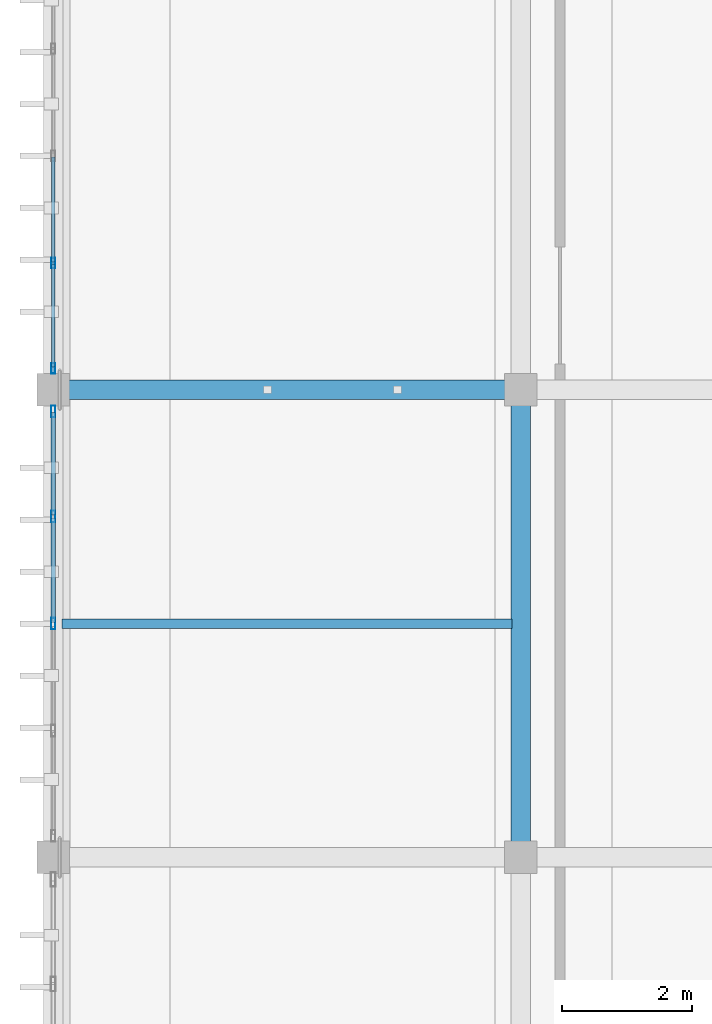
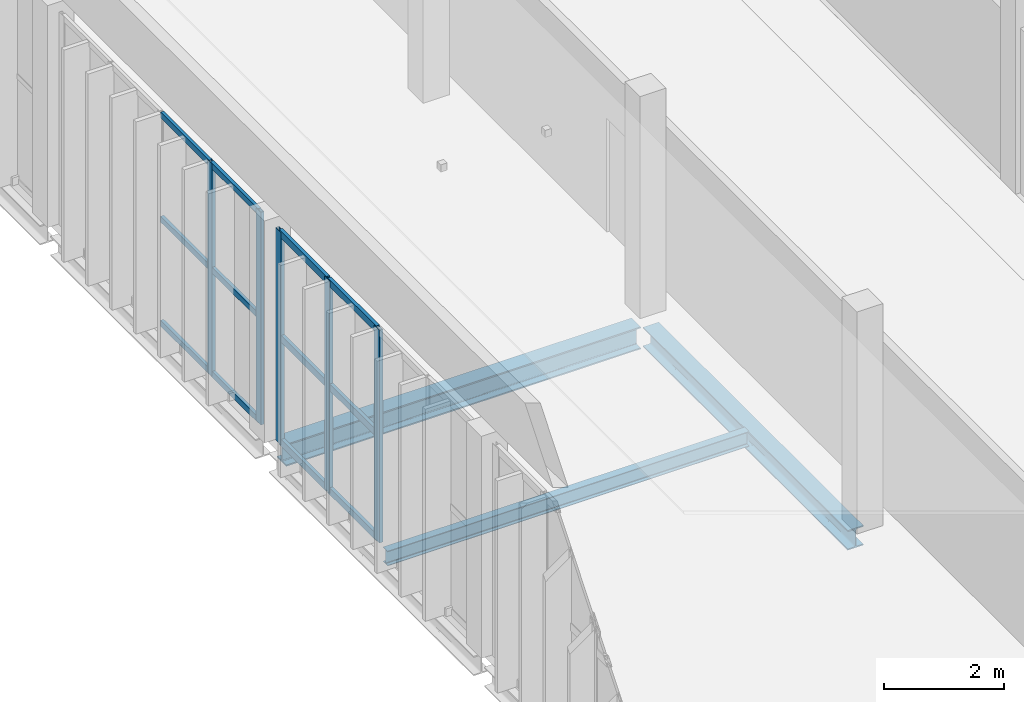
# One storey, part 8 of 64: 17 members, 3 beams, 2 elements without a shape of their own.
"""IFC4 building model written with IfcOpenShell, lengths in metres."""

from ifc_helpers import new_model, si_unit, direction, frame, origin, origin_2d, place, context, subcontext, project, spatial, hollow_rectangle, i_section, extrude, material, material_profile, profile_set, type_object, element, aggregate, save


model = new_model("IFC4")

# Units and contexts
model_context = context("Model", 3, precision=1e-05, world=origin(), true_north=direction((0.0, 1.0)))
body_context = subcontext(model_context, "Body", "Model", "MODEL_VIEW")
ifc_project = project(units=[si_unit("LENGTHUNIT", "METRE"), si_unit("AREAUNIT", "SQUARE_METRE"), si_unit("VOLUMEUNIT", "CUBIC_METRE"), si_unit("PLANEANGLEUNIT", "RADIAN"), si_unit("MASSUNIT", "GRAM", prefix="KILO")], contexts=[model_context])

# Site, building, storey
site_placement = place(None, origin())
site = spatial("IfcSite", under=ifc_project, at=site_placement, CompositionType="ELEMENT")
building_placement = place(site_placement, origin())
building = spatial("IfcBuilding", under=site, at=building_placement, Name="Qandorah Velis Arena", CompositionType="ELEMENT")
storey_placement = place(building_placement, frame((0.0, 0.0, 23.0)))
storey = spatial("IfcBuildingStorey", under=building, at=storey_placement, Name="L05", CompositionType="ELEMENT", Elevation=23.0)

# Curtain wall, members
ifc_material_1 = material(Name="Solar-control low-E double glazing", Category="glass")
curtain_wall_type_1 = type_object("IfcCurtainWallType", Name="ARC-CW-SYS19", PredefinedType="USERDEFINED", material=ifc_material_1)
curtain_wall_1_placement = place(storey_placement, origin())
curtain_wall_1 = element("IfcCurtainWall", 1, at=curtain_wall_1_placement, inside=storey, type_object=curtain_wall_type_1, Name="Unitised curtain wall L05-043", ObjectType="UNITISED CURTAIN WALL", PredefinedType="USERDEFINED")
ifc_material_2 = material(Name="Champagne-bronze anodized aluminium 6063-T6", Category="aluminium")
ifc_material_profile_1 = material_profile(ifc_material_2, hollow_rectangle(XDim=0.06005859375, YDim=0.159912109375, WallThickness=0.00341796875, at=origin_2d()), Name="ALU MULLION 60x160")
ifc_profile_set_1 = profile_set([ifc_material_profile_1], Name="Champagne-bronze anodized aluminium 6063-T6")
member_type_1 = type_object("IfcMemberType", Name="ARC-CWM-160", PredefinedType="MULLION", material=ifc_profile_set_1)
member_1_placement = place(storey_placement, frame((0.0, 36.330078125, -0.014892578125), z_axis=(0.0, 0.0, 1.0), x_axis=(-1.0, 0.0, 0.0)))
member_1 = element("IfcMember", 2, at=member_1_placement, type_object=member_type_1, Name="CW19 mullion 1", PredefinedType="MULLION", context=body_context, shape_type="SweptSolid", body=[
    extrude(hollow_rectangle(XDim=0.06005859375, YDim=0.159912109375, WallThickness=0.00341796875, at=origin_2d()), origin(), (0.0, 0.0, 1.0), 4.309814453125),
])
member_2_placement = place(storey_placement, frame((0.0, 37.949951171875, -0.014892578125), z_axis=(0.0, 0.0, 1.0), x_axis=(-1.0, 0.0, 0.0)))
member_2 = element("IfcMember", 3, at=member_2_placement, type_object=member_type_1, Name="CW19 mullion 2", PredefinedType="MULLION", context=body_context, shape_type="SweptSolid", body=[
    extrude(hollow_rectangle(XDim=0.06005859375, YDim=0.159912109375, WallThickness=0.00341796875, at=origin_2d()), origin(), (0.0, 0.0, 1.0), 4.309814453125),
])

curtain_wall_type_2 = type_object("IfcCurtainWallType", Name="ARC-CW-SYS18", PredefinedType="USERDEFINED", material=ifc_material_1)
curtain_wall_2_placement = place(storey_placement, origin())
curtain_wall_2 = element("IfcCurtainWall", 4, at=curtain_wall_2_placement, inside=storey, type_object=curtain_wall_type_2, Name="Unitised curtain wall L05-042", ObjectType="UNITISED CURTAIN WALL", PredefinedType="USERDEFINED")
ifc_material_profile_2 = material_profile(ifc_material_2, hollow_rectangle(XDim=0.06494140625, YDim=0.179931640625, WallThickness=0.00341796875, at=origin_2d()), Name="ALU MULLION 65x180")
ifc_profile_set_2 = profile_set([ifc_material_profile_2], Name="Champagne-bronze anodized aluminium 6063-T6")
member_type_2 = type_object("IfcMemberType", Name="ARC-CWM-180", PredefinedType="MULLION", material=ifc_profile_set_2)
member_3_placement = place(storey_placement, frame((0.0, 32.39990234375, -0.014892578125), z_axis=(0.0, 0.0, 1.0), x_axis=(-1.0, 0.0, 0.0)))
member_3 = element("IfcMember", 5, at=member_3_placement, type_object=member_type_2, Name="CW18 mullion 3", PredefinedType="MULLION", context=body_context, shape_type="SweptSolid", body=[
    extrude(hollow_rectangle(XDim=0.06494140625, YDim=0.179931640625, WallThickness=0.00341796875, at=origin_2d()), origin(), (0.0, 0.0, 1.0), 4.309814453125),
])
member_4_placement = place(storey_placement, frame((0.0, 34.050048828125, -0.014892578125), z_axis=(0.0, 0.0, 1.0), x_axis=(-1.0, 0.0, 0.0)))
member_4 = element("IfcMember", 6, at=member_4_placement, type_object=member_type_2, Name="CW18 mullion 4", PredefinedType="MULLION", context=body_context, shape_type="SweptSolid", body=[
    extrude(hollow_rectangle(XDim=0.06494140625, YDim=0.179931640625, WallThickness=0.00341796875, at=origin_2d()), origin(), (0.0, 0.0, 1.0), 4.309814453125),
])
member_5_placement = place(storey_placement, frame((0.0, 35.66748046875, -0.014892578125), z_axis=(0.0, 0.0, 1.0), x_axis=(-1.0, 0.0, 0.0)))
member_5 = element("IfcMember", 7, at=member_5_placement, type_object=member_type_2, Name="CW18 mullion 5", PredefinedType="MULLION", context=body_context, shape_type="SweptSolid", body=[
    extrude(hollow_rectangle(XDim=0.06494140625, YDim=0.179931640625, WallThickness=0.00341796875, at=origin_2d()), origin(), (0.0, 0.0, 1.0), 4.309814453125),
])

# Member
ifc_material_profile_3 = material_profile(ifc_material_2, hollow_rectangle(XDim=0.06005859375, YDim=0.1201171875, WallThickness=0.0029296875, at=origin_2d()), Name="ALU TRANSOM 60x120")
ifc_profile_set_3 = profile_set([ifc_material_profile_3], Name="Champagne-bronze anodized aluminium 6063-T6")
member_type_3 = type_object("IfcMemberType", Name="ARC-CWT-120", PredefinedType="USERDEFINED", material=ifc_profile_set_3)
member_6_placement = place(storey_placement, frame((0.0, 36.347900390625, 0.030029296875), z_axis=(0.0, 1.0, 0.0), x_axis=(-1.0, 0.0, 0.0)))
member_6 = element("IfcMember", 8, at=member_6_placement, type_object=member_type_3, Name="CW19 transom 1.1", ObjectType="TRANSOM", PredefinedType="USERDEFINED", context=body_context, shape_type="SweptSolid", body=[
    extrude(hollow_rectangle(XDim=0.06005859375, YDim=0.1201171875, WallThickness=0.0029296875, at=origin_2d()), origin(), (0.0, 0.0, 1.0), 1.583984375),
])

member_7_placement = place(storey_placement, frame((0.0, 36.347900390625, 2.139892578125), z_axis=(0.0, 1.0, 0.0), x_axis=(-1.0, 0.0, 0.0)))
member_7 = element("IfcMember", 9, at=member_7_placement, type_object=member_type_3, Name="CW19 transom 1.2", ObjectType="TRANSOM", PredefinedType="USERDEFINED", context=body_context, shape_type="SweptSolid", body=[
    extrude(hollow_rectangle(XDim=0.06005859375, YDim=0.1201171875, WallThickness=0.0029296875, at=origin_2d()), origin(), (0.0, 0.0, 1.0), 1.583984375),
])

member_8_placement = place(storey_placement, frame((0.0, 36.347900390625, 4.25), z_axis=(0.0, 1.0, 0.0), x_axis=(-1.0, 0.0, 0.0)))
member_8 = element("IfcMember", 10, at=member_8_placement, type_object=member_type_3, Name="CW19 transom 1.3", ObjectType="TRANSOM", PredefinedType="USERDEFINED", context=body_context, shape_type="SweptSolid", body=[
    extrude(hollow_rectangle(XDim=0.06005859375, YDim=0.1201171875, WallThickness=0.0029296875, at=origin_2d()), origin(), (0.0, 0.0, 1.0), 1.583984375),
])

member_9_placement = place(storey_placement, frame((0.0, 37.968017578125, 0.030029296875), z_axis=(0.0, 1.0, 0.0), x_axis=(-1.0, 0.0, 0.0)))
member_9 = element("IfcMember", 11, at=member_9_placement, type_object=member_type_3, Name="CW19 transom 2.1", ObjectType="TRANSOM", PredefinedType="USERDEFINED", context=body_context, shape_type="SweptSolid", body=[
    extrude(hollow_rectangle(XDim=0.06005859375, YDim=0.1201171875, WallThickness=0.0029296875, at=origin_2d()), origin(), (0.0, 0.0, 1.0), 1.614013671875),
])

member_10_placement = place(storey_placement, frame((0.0, 37.968017578125, 2.139892578125), z_axis=(0.0, 1.0, 0.0), x_axis=(-1.0, 0.0, 0.0)))
member_10 = element("IfcMember", 12, at=member_10_placement, type_object=member_type_3, Name="CW19 transom 2.2", ObjectType="TRANSOM", PredefinedType="USERDEFINED", context=body_context, shape_type="SweptSolid", body=[
    extrude(hollow_rectangle(XDim=0.06005859375, YDim=0.1201171875, WallThickness=0.0029296875, at=origin_2d()), origin(), (0.0, 0.0, 1.0), 1.614013671875),
])

member_11_placement = place(storey_placement, frame((0.0, 37.968017578125, 4.25), z_axis=(0.0, 1.0, 0.0), x_axis=(-1.0, 0.0, 0.0)))
member_11 = element("IfcMember", 13, at=member_11_placement, type_object=member_type_3, Name="CW19 transom 2.3", ObjectType="TRANSOM", PredefinedType="USERDEFINED", context=body_context, shape_type="SweptSolid", body=[
    extrude(hollow_rectangle(XDim=0.06005859375, YDim=0.1201171875, WallThickness=0.0029296875, at=origin_2d()), origin(), (0.0, 0.0, 1.0), 1.614013671875),
])

aggregate(curtain_wall_1, [member_1, member_2, member_6, member_7, member_8, member_9, member_10, member_11])

ifc_material_profile_4 = material_profile(ifc_material_2, hollow_rectangle(XDim=0.06494140625, YDim=0.139892578125, WallThickness=0.0029296875, at=origin_2d()), Name="ALU TRANSOM 65x140")
ifc_profile_set_4 = profile_set([ifc_material_profile_4], Name="Champagne-bronze anodized aluminium 6063-T6")
member_type_4 = type_object("IfcMemberType", Name="ARC-CWT-140", PredefinedType="USERDEFINED", material=ifc_profile_set_4)
member_12_placement = place(storey_placement, frame((0.0, 32.42041015625, 0.032470703125), z_axis=(0.0, 1.0, 0.0), x_axis=(-1.0, 0.0, 0.0)))
member_12 = element("IfcMember", 14, at=member_12_placement, type_object=member_type_4, Name="CW18 transom 3.1", ObjectType="TRANSOM", PredefinedType="USERDEFINED", context=body_context, shape_type="SweptSolid", body=[
    extrude(hollow_rectangle(XDim=0.06494140625, YDim=0.139892578125, WallThickness=0.0029296875, at=origin_2d()), origin(), (0.0, 0.0, 1.0), 1.609130859375),
])

member_13_placement = place(storey_placement, frame((0.0, 32.42041015625, 2.139892578125), z_axis=(0.0, 1.0, 0.0), x_axis=(-1.0, 0.0, 0.0)))
member_13 = element("IfcMember", 15, at=member_13_placement, type_object=member_type_4, Name="CW18 transom 3.2", ObjectType="TRANSOM", PredefinedType="USERDEFINED", context=body_context, shape_type="SweptSolid", body=[
    extrude(hollow_rectangle(XDim=0.06494140625, YDim=0.139892578125, WallThickness=0.0029296875, at=origin_2d()), origin(), (0.0, 0.0, 1.0), 1.609130859375),
])

member_14_placement = place(storey_placement, frame((0.0, 32.42041015625, 4.24755859375), z_axis=(0.0, 1.0, 0.0), x_axis=(-1.0, 0.0, 0.0)))
member_14 = element("IfcMember", 16, at=member_14_placement, type_object=member_type_4, Name="CW18 transom 3.3", ObjectType="TRANSOM", PredefinedType="USERDEFINED", context=body_context, shape_type="SweptSolid", body=[
    extrude(hollow_rectangle(XDim=0.06494140625, YDim=0.139892578125, WallThickness=0.0029296875, at=origin_2d()), origin(), (0.0, 0.0, 1.0), 1.609130859375),
])

member_15_placement = place(storey_placement, frame((0.0, 34.070556640625, 0.032470703125), z_axis=(0.0, 1.0, 0.0), x_axis=(-1.0, 0.0, 0.0)))
member_15 = element("IfcMember", 17, at=member_15_placement, type_object=member_type_4, Name="CW18 transom 4.1", ObjectType="TRANSOM", PredefinedType="USERDEFINED", context=body_context, shape_type="SweptSolid", body=[
    extrude(hollow_rectangle(XDim=0.06494140625, YDim=0.139892578125, WallThickness=0.0029296875, at=origin_2d()), origin(), (0.0, 0.0, 1.0), 1.576416015625),
])

member_16_placement = place(storey_placement, frame((0.0, 34.070556640625, 2.139892578125), z_axis=(0.0, 1.0, 0.0), x_axis=(-1.0, 0.0, 0.0)))
member_16 = element("IfcMember", 18, at=member_16_placement, type_object=member_type_4, Name="CW18 transom 4.2", ObjectType="TRANSOM", PredefinedType="USERDEFINED", context=body_context, shape_type="SweptSolid", body=[
    extrude(hollow_rectangle(XDim=0.06494140625, YDim=0.139892578125, WallThickness=0.0029296875, at=origin_2d()), origin(), (0.0, 0.0, 1.0), 1.576416015625),
])

member_17_placement = place(storey_placement, frame((0.0, 34.070556640625, 4.24755859375), z_axis=(0.0, 1.0, 0.0), x_axis=(-1.0, 0.0, 0.0)))
member_17 = element("IfcMember", 19, at=member_17_placement, type_object=member_type_4, Name="CW18 transom 4.3", ObjectType="TRANSOM", PredefinedType="USERDEFINED", context=body_context, shape_type="SweptSolid", body=[
    extrude(hollow_rectangle(XDim=0.06494140625, YDim=0.139892578125, WallThickness=0.0029296875, at=origin_2d()), origin(), (0.0, 0.0, 1.0), 1.576416015625),
])

aggregate(curtain_wall_2, [member_3, member_4, member_5, member_12, member_13, member_14, member_15, member_16, member_17])

# Beams
ifc_material_3 = material(Name="Steel S355", Category="steel")
ifc_material_profile_5 = material_profile(ifc_material_3, i_section(OverallWidth=0.300048828125, OverallDepth=0.39990234375, WebThickness=0.013427734375, FlangeThickness=0.02392578125, FilletRadius=0.027099609375, at=origin_2d()), Name="HEB 400")
ifc_profile_set_5 = profile_set([ifc_material_profile_5], Name="Steel S355")
beam_type_1 = type_object("IfcBeamType", Name="STR-BM-HEB400", PredefinedType="BEAM", material=ifc_profile_set_5)
beam_1_placement = place(storey_placement, frame((7.199951171875, 29.02490234375, -0.449951171875), z_axis=(0.0, 1.0, 0.0), x_axis=(-1.0, 0.0, 0.0)))
element("IfcBeam", 20, at=beam_1_placement, inside=storey, type_object=beam_type_1, Name="Primary floor girder L05 Y-127", PredefinedType="BEAM", context=body_context, shape_type="SweptSolid", body=[
    extrude(i_section(OverallWidth=0.300048828125, OverallDepth=0.39990234375, WebThickness=0.013427734375, FlangeThickness=0.02392578125, FilletRadius=0.027099609375, at=origin_2d()), origin(), (0.0, 0.0, 1.0), 6.796630859375),
])
ifc_material_profile_6 = material_profile(ifc_material_3, i_section(OverallWidth=0.300048828125, OverallDepth=0.449951171875, WebThickness=0.013916015625, FlangeThickness=0.02587890625, FilletRadius=0.027099609375, at=origin_2d()), Name="HEB 450")
ifc_profile_set_6 = profile_set([ifc_material_profile_6], Name="Steel S355")
beam_type_2 = type_object("IfcBeamType", Name="STR-BM-HEB450", PredefinedType="BEAM", material=ifc_profile_set_6)
beam_2_placement = place(storey_placement, frame((0.22509765625, 36.0, -0.47509765625), z_axis=(1.0, 0.0, 0.0), x_axis=(0.0, 1.0, 0.0)))
element("IfcBeam", 21, at=beam_2_placement, inside=storey, type_object=beam_type_2, Name="Primary floor girder L05 X-045", PredefinedType="BEAM", context=body_context, shape_type="SweptSolid", body=[
    extrude(i_section(OverallWidth=0.300048828125, OverallDepth=0.449951171875, WebThickness=0.013916015625, FlangeThickness=0.02587890625, FilletRadius=0.027099609375, at=origin_2d()), origin(), (0.0, 0.0, 1.0), 6.79638671875),
])
ifc_material_profile_7 = material_profile(ifc_material_3, i_section(OverallWidth=0.14990234375, OverallDepth=0.300048828125, WebThickness=0.007080078125, FlangeThickness=0.0107421875, FilletRadius=0.014892578125, at=origin_2d()), Name="IPE 300")
ifc_profile_set_7 = profile_set([ifc_material_profile_7], Name="Steel S355")
beam_type_3 = type_object("IfcBeamType", Name="STR-JST-IPE300", PredefinedType="JOIST", material=ifc_profile_set_7)
beam_3_placement = place(storey_placement, frame((0.135009765625, 32.39990234375, -0.39990234375), z_axis=(1.0, 0.0, 0.0), x_axis=(0.0, 1.0, 0.0)))
element("IfcBeam", 22, at=beam_3_placement, inside=storey, type_object=beam_type_3, Name="Secondary floor joist L05-002", PredefinedType="JOIST", context=body_context, shape_type="SweptSolid", body=[
    extrude(i_section(OverallWidth=0.14990234375, OverallDepth=0.300048828125, WebThickness=0.007080078125, FlangeThickness=0.0107421875, FilletRadius=0.014892578125, at=origin_2d()), origin(), (0.0, 0.0, 1.0), 6.929931640625),
])

save(model, "model.ifc")
